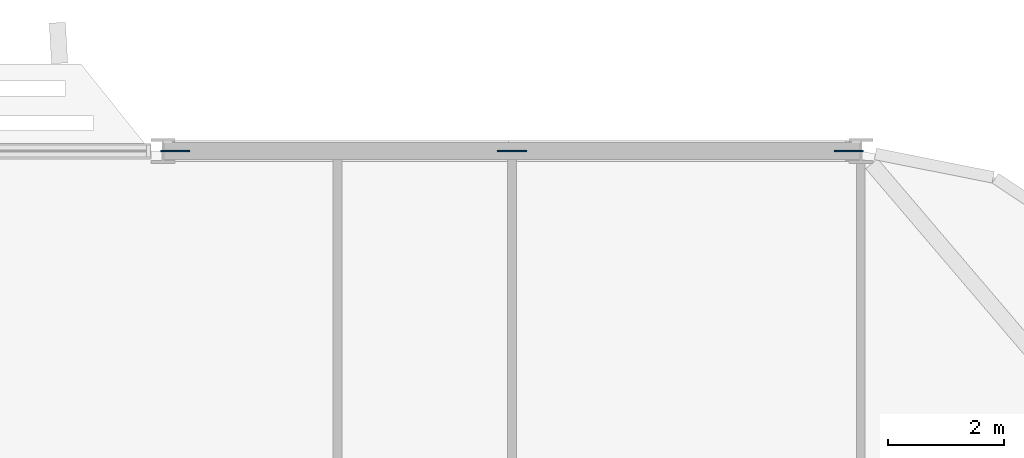
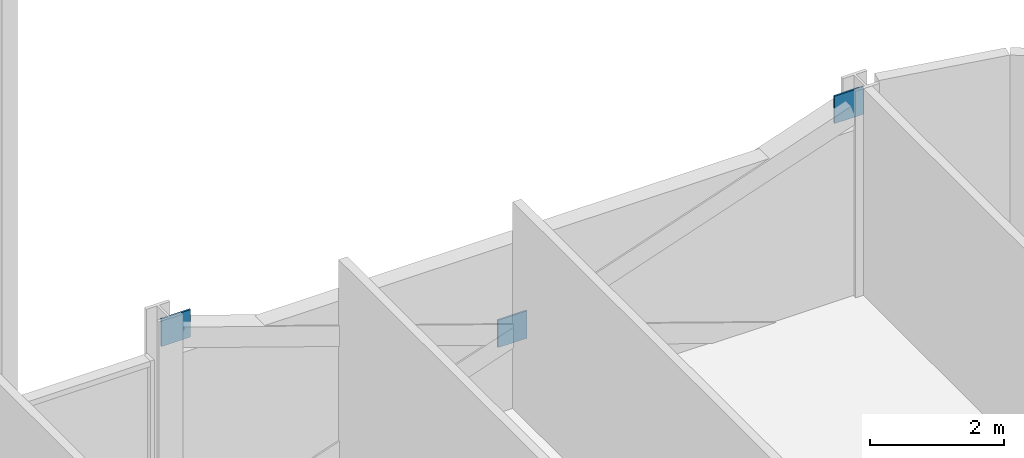
# One storey, part 24 of 32: 3 discrete accessories.
"""IFC4 building model written with IfcOpenShell, lengths in metres."""

import ifcopenshell
import ifcopenshell.guid

model = None  # the IFC model being written
_history = None  # IfcOwnerHistory: only IFC2X3 demands one
_inside = {}  # id of a spatial element -> (the spatial element, [elements in it])
_under = {}  # id of a project, library or spatial element -> (it, [spatial elements below it])
_declared = {}  # id of a project -> (the project, [libraries it declares])
_typed = {}  # id of a type object -> (the type object, [elements of that type])
_made_of = {}  # id of a material, layer set ... -> (it, [elements and type objects made of it])


def new_model(schema):
    """Start an empty IFC model of exactly this schema.

    Asked for "IFC4X3", IfcOpenShell would pick the latest addendum, in which some entities
    have other attributes; the version numbers below select the first issue.
    IFC2X3 requires an IfcOwnerHistory on every rooted entity: one is made here for all.
    """
    global model, _history
    if schema == "IFC4X3":
        model = ifcopenshell.file(schema_version=(4, 3, 0, 0))
    else:
        model = ifcopenshell.file(schema=schema)
    _inside.clear()
    _under.clear()
    _declared.clear()
    _typed.clear()
    _made_of.clear()
    _history = None
    if model.schema == "IFC2X3":
        org = make("IfcOrganization", Name="unknown")
        user = make(
            "IfcPersonAndOrganization",
            ThePerson=make("IfcPerson", FamilyName="unknown"),
            TheOrganization=org,
        )
        app = make(
            "IfcApplication",
            ApplicationDeveloper=org,
            Version="unknown",
            ApplicationFullName="unknown",
            ApplicationIdentifier="unknown",
        )
        _history = make(
            "IfcOwnerHistory",
            OwningUser=user,
            OwningApplication=app,
            ChangeAction="ADDED",
            CreationDate=0,
        )
    return model


def make(cls, **values):
    """One entity of the class cls with the attributes given. An attribute that is None is left unset."""
    return model.create_entity(
        cls, **{name: value for name, value in values.items() if value is not None}
    )


def rooted(cls, **values):
    """An entity with a GlobalId (a new one), such as an element, a storey or a relation."""
    return make(cls, GlobalId=ifcopenshell.guid.new(), OwnerHistory=_history, **values)


def si_unit(unit_type, name, prefix=None):
    """IfcSIUnit, for example si_unit("LENGTHUNIT", "METRE", prefix="MILLI")."""
    return make("IfcSIUnit", UnitType=unit_type, Prefix=prefix, Name=name)


def assignment(units):
    """IfcUnitAssignment: the units of a project."""
    return None if units is None else make("IfcUnitAssignment", Units=units)


def point(xyz):
    """IfcCartesianPoint."""
    return None if xyz is None else make("IfcCartesianPoint", Coordinates=xyz)


def direction(xyz):
    """IfcDirection."""
    return None if xyz is None else make("IfcDirection", DirectionRatios=xyz)


def frame(location, z_axis=None, x_axis=None):
    """IfcAxis2Placement3D, a coordinate frame: its origin and axes. An axis left out is left unset."""
    return make(
        "IfcAxis2Placement3D",
        Location=point(location),
        Axis=direction(z_axis),
        RefDirection=direction(x_axis),
    )


def frame_2d(location, x_axis=None):
    """IfcAxis2Placement2D, a coordinate frame in the plane: its origin and x axis."""
    return make(
        "IfcAxis2Placement2D", Location=point(location), RefDirection=direction(x_axis)
    )


def origin():
    """The frame at (0, 0, 0) with its axes left unset."""
    return frame((0.0, 0.0, 0.0))


def origin_2d():
    """The frame at (0, 0) in the plane with its x axis left unset."""
    return frame_2d((0.0, 0.0))


def place(relative_to, where):
    """IfcLocalPlacement: puts the frame where relative to a parent placement (None: the world)."""
    return make(
        "IfcLocalPlacement", PlacementRelTo=relative_to, RelativePlacement=where
    )


def context(
    kind, dimensions, precision=None, world=None, true_north=None, identifier=None
):
    """IfcGeometricRepresentationContext, for example the 3D "Model" context."""
    return make(
        "IfcGeometricRepresentationContext",
        ContextIdentifier=identifier,
        ContextType=kind,
        CoordinateSpaceDimension=dimensions,
        Precision=precision,
        WorldCoordinateSystem=world,
        TrueNorth=true_north,
    )


def subcontext(parent, identifier, kind, view, scale=None):
    """IfcGeometricRepresentationSubContext, for example "Body" below "Model"."""
    return make(
        "IfcGeometricRepresentationSubContext",
        ContextIdentifier=identifier,
        ContextType=kind,
        ParentContext=parent,
        TargetScale=scale,
        TargetView=view,
    )


def project(units=None, contexts=None):
    """IfcProject with its units and contexts."""
    return rooted(
        "IfcProject",
        Name="project",
        RepresentationContexts=contexts,
        UnitsInContext=assignment(units),
    )


def spatial(cls, under=None, at=None, **own):
    """A site, building, storey or space (cls), placed at a placement, below another one or the project."""
    s = rooted(cls, ObjectPlacement=at, **own)
    if under is not None:
        _under.setdefault(under.id(), (under, []))[1].append(s)
    return s


def profile(cls, at=None, kind="AREA", **sizes):
    """A parametric profile (cls). Its sizes go by their IFC names, for example OverallWidth=200.0."""
    return make(cls, ProfileType=kind, Position=at, **sizes)


def rectangle(**sizes):
    """IfcRectangleProfileDef."""
    return profile("IfcRectangleProfileDef", **sizes)


def extrude(swept, where, along, depth):
    """IfcExtrudedAreaSolid: the profile swept, set in the frame where, extruded along a direction by depth."""
    return make(
        "IfcExtrudedAreaSolid",
        SweptArea=swept,
        Position=where,
        ExtrudedDirection=direction(along),
        Depth=depth,
    )


def shape(context_of_items, identifier, shape_type, items):
    """IfcShapeRepresentation: the items that make up one representation, for example the "Body"."""
    return make(
        "IfcShapeRepresentation",
        ContextOfItems=context_of_items,
        RepresentationIdentifier=identifier,
        RepresentationType=shape_type,
        Items=items,
    )


def material(Name=None, Category=None):
    """IfcMaterial."""
    return make("IfcMaterial", Name=Name, Category=Category)


def layer(
    of_material, thickness, ventilated=None, Name=None, Category=None, Priority=None
):
    """IfcMaterialLayer: one layer of a wall or slab, of a material (None: an air gap)."""
    return make(
        "IfcMaterialLayer",
        Material=of_material,
        LayerThickness=thickness,
        IsVentilated=ventilated,
        Name=Name,
        Category=Category,
        Priority=Priority,
    )


def layer_set(layers, Name=None):
    """IfcMaterialLayerSet."""
    return make("IfcMaterialLayerSet", MaterialLayers=layers, LayerSetName=Name)


def made_of(thing, what):
    """Note that an element or type object is made of a material, layer set ...; save() writes the relation."""
    if what is not None:
        _made_of.setdefault(what.id(), (what, []))[1].append(thing)
    return thing


def type_object(cls, material=None, **own):
    """A type object (cls), such as IfcWallType, which elements share."""
    return made_of(rooted(cls, **own), material)


def element(
    cls,
    number,
    at=None,
    inside=None,
    cuts=None,
    type_object=None,
    material=None,
    context=None,
    identifier="Body",
    shape_type=None,
    held_by="IfcProductDefinitionShape",
    body=None,
    shapes=None,
    **own,
):
    """One element of the class cls, such as IfcWall. Its Tag is "e" and its number.

    at: its placement. inside: the storey or other place that contains it. cuts: it is an
    opening in that element (IfcRelVoidsElement). A single representation is given by context,
    identifier, shape_type and body (its items); several are given by shapes. held_by: the class
    of the entity that holds the representations. save() writes the other relations.
    """
    e = rooted(cls, Tag="e%d" % number, ObjectPlacement=at, **own)
    if body is not None:
        shapes = [shape(context, identifier, shape_type, body)]
    if shapes is not None:
        e.Representation = make(held_by, Representations=shapes)
    if inside is not None:
        _inside.setdefault(inside.id(), (inside, []))[1].append(e)
    if cuts is not None:
        rooted(
            "IfcRelVoidsElement", RelatingBuildingElement=cuts, RelatedOpeningElement=e
        )
    if type_object is not None:
        _typed.setdefault(type_object.id(), (type_object, []))[1].append(e)
    return made_of(e, material)


def aggregate(whole, parts):
    """IfcRelAggregates: a whole, such as a stair, and the parts it consists of."""
    return rooted("IfcRelAggregates", RelatingObject=whole, RelatedObjects=parts)


def save(model, path):
    """Write the relations noted so far, then the file.

    IfcRelAggregates (storeys below a building ...), IfcRelContainedInSpatialStructure (elements
    in a storey), IfcRelDefinesByType, IfcRelAssociatesMaterial and IfcRelDeclares: one each for
    every whole, place, type object, material and project.
    """
    for whole, parts in _under.values():
        aggregate(whole, parts)
    for where, things in _inside.values():
        rooted(
            "IfcRelContainedInSpatialStructure",
            RelatedElements=things,
            RelatingStructure=where,
        )
    for kind, things in _typed.values():
        rooted("IfcRelDefinesByType", RelatedObjects=things, RelatingType=kind)
    for what, things in _made_of.values():
        rooted("IfcRelAssociatesMaterial", RelatedObjects=things, RelatingMaterial=what)
    for by, libraries in _declared.values():
        rooted("IfcRelDeclares", RelatingContext=by, RelatedDefinitions=libraries)
    model.write(path)


model = new_model("IFC4")

# Units and contexts
model_context = context("Model", 3, precision=1e-05, world=origin(), true_north=direction((0.0, 1.0)))
body_context = subcontext(model_context, "Body", "Model", "MODEL_VIEW")
ifc_project = project(units=[si_unit("LENGTHUNIT", "METRE"), si_unit("AREAUNIT", "SQUARE_METRE"), si_unit("VOLUMEUNIT", "CUBIC_METRE"), si_unit("PLANEANGLEUNIT", "RADIAN"), si_unit("MASSUNIT", "GRAM", prefix="KILO")], contexts=[model_context])

# Site, building, storey
site_placement = place(None, origin())
site = spatial("IfcSite", under=ifc_project, at=site_placement, CompositionType="ELEMENT")
building_placement = place(site_placement, origin())
building = spatial("IfcBuilding", under=site, at=building_placement, Name="Mahtab Terrace Research Tower", CompositionType="ELEMENT")
storey_placement = place(building_placement, frame((0.0, 0.0, 138.39990234375)))
storey = spatial("IfcBuildingStorey", under=building, at=storey_placement, Name="L32", CompositionType="ELEMENT", Elevation=138.39990234375)

# Discrete accessories
ifc_material = material(Name="Steel ASTM A992 Gr 50", Category="steel")
ifc_layer = layer(ifc_material, 0.030029296875)
ifc_layer_set = layer_set([ifc_layer], Name="Gusset plate 500x500x30")
discrete_accessory_type = type_object("IfcDiscreteAccessoryType", Name="Gusset plate 500x500x30", PredefinedType="USERDEFINED", material=ifc_layer_set)
for number, where, z_axis, x_axis, name in (
    (1, (30.205810546875, 29.0, 3.131591796875), (0.0, 0.0, 1.0), (1.0, 0.0, 0.0), "Gusset plate"),
    (2, (36.0, 29.0, 1.081787109375), (0.0, 0.0, 1.0), (1.0, 0.0, 0.0), "Gusset plate"),
    (3, (41.794189453125, 29.0, 3.131591796875), (0.0, 0.0, 1.0), (1.0, 0.0, 0.0), "Gusset plate"),
):
    element("IfcDiscreteAccessory", number, at=place(storey_placement, frame(where, z_axis=z_axis, x_axis=x_axis)), inside=storey, type_object=discrete_accessory_type, Name=name, ObjectType="GUSSET PLATE", PredefinedType="USERDEFINED", context=body_context, shape_type="SweptSolid", body=[
        extrude(rectangle(XDim=0.5, YDim=0.030029296875, at=origin_2d()), origin(), (0.0, 0.0, 1.0), 0.5),
    ])

save(model, "model.ifc")
